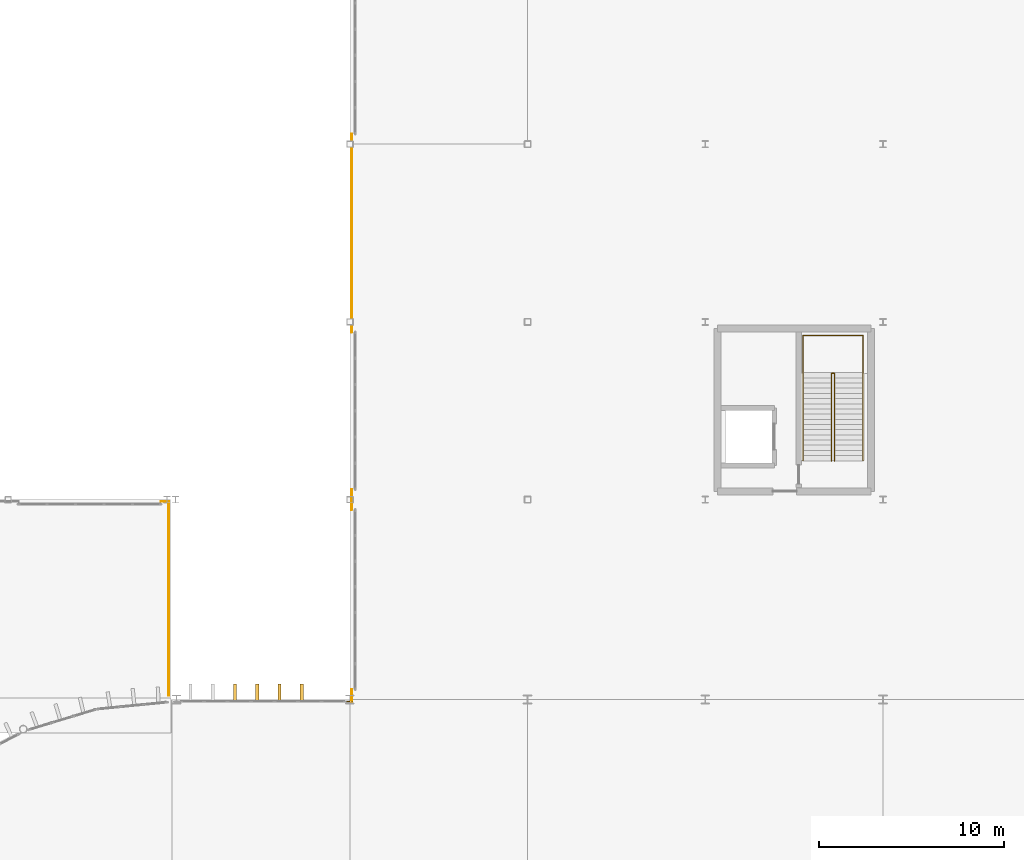
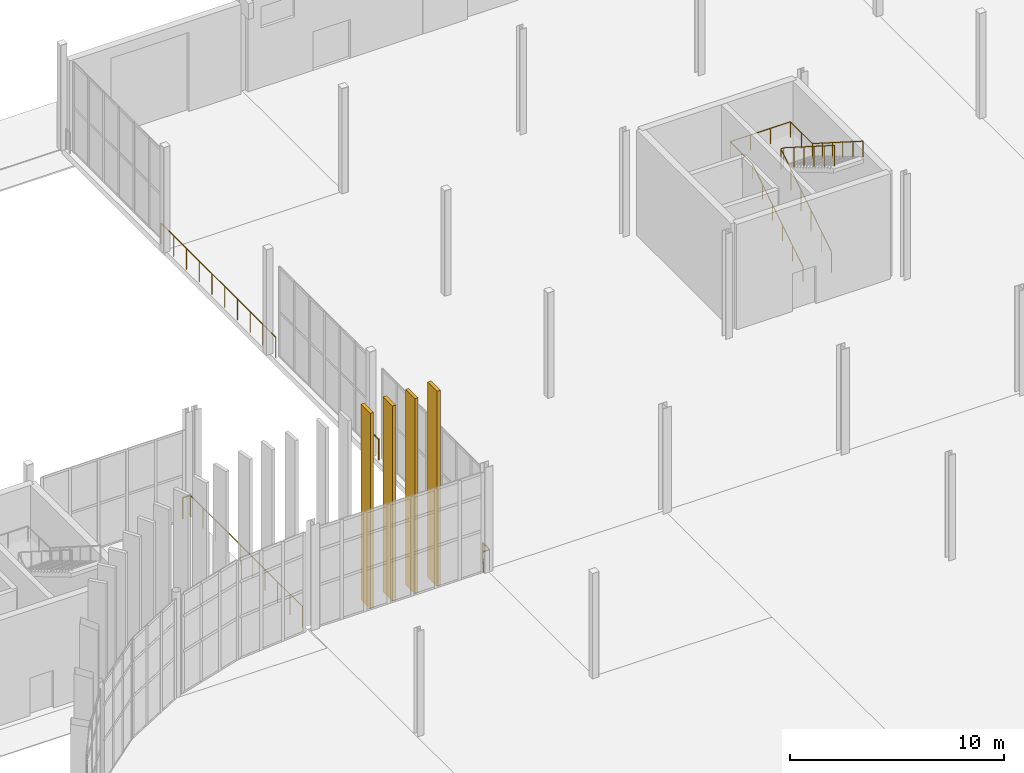
# One storey, part 126 of 139: 8 railings, 4 coverings.
"""IFC4 building model written with IfcOpenShell, lengths in metres."""

from ifc_helpers import new_model, si_unit, direction, frame, origin, origin_2d, place, context, subcontext, project, spatial, rectangle, circle, extrude, material, layer, layer_set, type_object, element, save


model = new_model("IFC4")

# Units and contexts
model_context = context("Model", 3, precision=1e-05, world=origin(), true_north=direction((0.0, 1.0)))
body_context = subcontext(model_context, "Body", "Model", "MODEL_VIEW")
ifc_project = project(units=[si_unit("LENGTHUNIT", "METRE"), si_unit("AREAUNIT", "SQUARE_METRE"), si_unit("VOLUMEUNIT", "CUBIC_METRE"), si_unit("PLANEANGLEUNIT", "RADIAN"), si_unit("MASSUNIT", "GRAM", prefix="KILO")], contexts=[model_context])

# Site, building, storey
site_placement = place(None, origin())
site = spatial("IfcSite", under=ifc_project, at=site_placement, CompositionType="ELEMENT")
building_placement = place(site_placement, origin())
building = spatial("IfcBuilding", under=site, at=building_placement, Name="Yeouljin Market Hall", CompositionType="ELEMENT")
storey_placement = place(building_placement, origin())
storey = spatial("IfcBuildingStorey", under=building, at=storey_placement, Name="L00", CompositionType="ELEMENT", Elevation=0.0)

# Coverings
ifc_material_1 = material(Name="White Limestone and Bronze Solar Fin", Category="masonry")
ifc_layer = layer(ifc_material_1, 0.179931640625)
ifc_layer_set = layer_set([ifc_layer], Name="White Limestone and Bronze Solar Fin")
covering_type = type_object("IfcCoveringType", Name="Covering_Limestone_SolarFin", PredefinedType="CLADDING", material=ifc_layer_set)
for number, where, z_axis, x_axis, name in (
    (1, (38.800048828125, 78.39990234375, 0.0), (0.0, 0.0, 1.0), (1.0, 0.0, 0.0), "Hall north vertical lantern fin 007"),
    (2, (40.0, 78.39990234375, 0.0), (0.0, 0.0, 1.0), (1.0, 0.0, 0.0), "Hall north vertical lantern fin 008"),
    (3, (41.199951171875, 78.39990234375, 0.0), (0.0, 0.0, 1.0), (1.0, 0.0, 0.0), "Hall north vertical lantern fin 009"),
    (4, (42.39990234375, 78.39990234375, 0.0), (0.0, 0.0, 1.0), (1.0, 0.0, 0.0), "Hall north vertical lantern fin 010"),
):
    element("IfcCovering", number, at=place(storey_placement, frame(where, z_axis=z_axis, x_axis=x_axis)), inside=storey, type_object=covering_type, Name=name, PredefinedType="CLADDING", context=body_context, shape_type="SweptSolid", body=[
        extrude(rectangle(XDim=0.179931640625, YDim=0.8798828125, at=origin_2d()), origin(), (0.0, 0.0, 1.0), 11.1201171875),
    ])

# Railings
ifc_material_2 = material(Name="Wrought Iron and Bronze Gallery Balustrade")
railing_type_1 = type_object("IfcRailingType", Name="Railing_AtriumBalustrade_1200", PredefinedType="BALUSTRADE", material=ifc_material_2)
railing_1_placement = place(storey_placement, frame((44.75, 77.89990234375, 0.0)))
element("IfcRailing", 5, at=railing_1_placement, inside=storey, type_object=railing_type_1, Name="Gallery & deck edge balustrade L00-016", PredefinedType="BALUSTRADE", context=body_context, shape_type="SweptSolid", body=[
    extrude(circle(Radius=0.02392578125, at=origin_2d()), frame((0.0, 0.0, 1.17578125), z_axis=(1.0, 0.0, 0.0), x_axis=(0.0, 1.0, 0.0)), (0.0, 0.0, 1.0), 0.35009765625),
    extrude(circle(Radius=0.02099609375, at=origin_2d()), origin(), (0.0, 0.0, 1.0), 1.15185546875),
    extrude(circle(Radius=0.02099609375, at=origin_2d()), frame((0.35009765625, 0.0, 0.0)), (0.0, 0.0, 1.0), 1.15185546875),
])
railing_2_placement = place(storey_placement, frame((45.10009765625, 77.89990234375, 0.0)))
element("IfcRailing", 6, at=railing_2_placement, inside=storey, type_object=railing_type_1, Name="Gallery & deck edge balustrade L00-017", PredefinedType="BALUSTRADE", context=body_context, shape_type="SweptSolid", body=[
    extrude(circle(Radius=0.02392578125, at=origin_2d()), frame((0.0, 0.0, 1.17578125), z_axis=(0.0, 1.0, 0.0), x_axis=(-1.0, 0.0, 0.0)), (0.0, 0.0, 1.0), 0.650146484375),
    extrude(circle(Radius=0.02099609375, at=origin_2d()), origin(), (0.0, 0.0, 1.0), 1.15185546875),
    extrude(circle(Radius=0.02099609375, at=origin_2d()), frame((0.0, 0.650146484375, 0.0)), (0.0, 0.0, 1.0), 1.15185546875),
])
railing_3_placement = place(storey_placement, frame((45.10009765625, 88.25, 0.0)))
element("IfcRailing", 7, at=railing_3_placement, inside=storey, type_object=railing_type_1, Name="Gallery & deck edge balustrade L00-018", PredefinedType="BALUSTRADE", context=body_context, shape_type="SweptSolid", body=[
    extrude(circle(Radius=0.02392578125, at=origin_2d()), frame((0.0, 0.0, 1.17578125), z_axis=(0.0, 1.0, 0.0), x_axis=(-1.0, 0.0, 0.0)), (0.0, 0.0, 1.0), 1.10009765625),
    extrude(circle(Radius=0.02099609375, at=origin_2d()), origin(), (0.0, 0.0, 1.0), 1.15185546875),
    extrude(circle(Radius=0.02099609375, at=origin_2d()), frame((0.0, 1.10009765625, 0.0)), (0.0, 0.0, 1.0), 1.15185546875),
])
railing_4_placement = place(storey_placement, frame((45.10009765625, 97.85009765625, 0.0)))
element("IfcRailing", 8, at=railing_4_placement, inside=storey, type_object=railing_type_1, Name="Gallery & deck edge balustrade L00-019", PredefinedType="BALUSTRADE", context=body_context, shape_type="SweptSolid", body=[
    extrude(circle(Radius=0.02392578125, at=origin_2d()), frame((0.0, 0.0, 1.17578125), z_axis=(0.0, 1.0, 0.0), x_axis=(-1.0, 0.0, 0.0)), (0.0, 0.0, 1.0), 10.699951171875),
    extrude(circle(Radius=0.02099609375, at=origin_2d()), origin(), (0.0, 0.0, 1.0), 1.15185546875),
    extrude(circle(Radius=0.02099609375, at=origin_2d()), frame((0.0, 1.18896484375, 0.0)), (0.0, 0.0, 1.0), 1.15185546875),
    extrude(circle(Radius=0.02099609375, at=origin_2d()), frame((0.0, 2.377685546875, 0.0)), (0.0, 0.0, 1.0), 1.15185546875),
    extrude(circle(Radius=0.02099609375, at=origin_2d()), frame((0.0, 3.566650390625, 0.0)), (0.0, 0.0, 1.0), 1.15185546875),
    extrude(circle(Radius=0.02099609375, at=origin_2d()), frame((0.0, 4.755615234375, 0.0)), (0.0, 0.0, 1.0), 1.15185546875),
    extrude(circle(Radius=0.02099609375, at=origin_2d()), frame((0.0, 5.9443359375, 0.0)), (0.0, 0.0, 1.0), 1.15185546875),
    extrude(circle(Radius=0.02099609375, at=origin_2d()), frame((0.0, 7.13330078125, 0.0)), (0.0, 0.0, 1.0), 1.15185546875),
    extrude(circle(Radius=0.02099609375, at=origin_2d()), frame((0.0, 8.322265625, 0.0)), (0.0, 0.0, 1.0), 1.15185546875),
    extrude(circle(Radius=0.02099609375, at=origin_2d()), frame((0.0, 9.510986328125, 0.0)), (0.0, 0.0, 1.0), 1.15185546875),
    extrude(circle(Radius=0.02099609375, at=origin_2d()), frame((0.0, 10.699951171875, 0.0)), (0.0, 0.0, 1.0), 1.15185546875),
])
railing_5_placement = place(storey_placement, frame((34.800048828125, 88.699951171875, 0.0)))
element("IfcRailing", 9, at=railing_5_placement, inside=storey, type_object=railing_type_1, Name="Gallery & deck edge balustrade L00-053", PredefinedType="BALUSTRADE", context=body_context, shape_type="SweptSolid", body=[
    extrude(circle(Radius=0.02392578125, at=origin_2d()), frame((0.0, 0.0, 1.17578125), z_axis=(1.0, 0.0, 0.0), x_axis=(0.0, 1.0, 0.0)), (0.0, 0.0, 1.0), 0.419921875),
    extrude(circle(Radius=0.02099609375, at=origin_2d()), origin(), (0.0, 0.0, 1.0), 1.15185546875),
    extrude(circle(Radius=0.02099609375, at=origin_2d()), frame((0.419921875, 0.0, 0.0)), (0.0, 0.0, 1.0), 1.15185546875),
])
railing_6_placement = place(storey_placement, frame((35.219970703125, 88.699951171875, 0.0)))
element("IfcRailing", 10, at=railing_6_placement, inside=storey, type_object=railing_type_1, Name="Gallery & deck edge balustrade L00-054", PredefinedType="BALUSTRADE", context=body_context, shape_type="SweptSolid", body=[
    extrude(circle(Radius=0.02392578125, at=origin_2d()), frame((0.0, 0.0, 1.17578125), z_axis=(0.0, -1.0, 0.0), x_axis=(1.0, 0.0, 0.0)), (0.0, 0.0, 1.0), 10.469970703125),
    extrude(circle(Radius=0.02099609375, at=origin_2d()), origin(), (0.0, 0.0, 1.0), 1.15185546875),
    extrude(circle(Radius=0.02099609375, at=origin_2d()), frame((0.0, -1.163330078125, 0.0)), (0.0, 0.0, 1.0), 1.15185546875),
    extrude(circle(Radius=0.02099609375, at=origin_2d()), frame((0.0, -2.32666015625, 0.0)), (0.0, 0.0, 1.0), 1.15185546875),
    extrude(circle(Radius=0.02099609375, at=origin_2d()), frame((0.0, -3.489990234375, 0.0)), (0.0, 0.0, 1.0), 1.15185546875),
    extrude(circle(Radius=0.02099609375, at=origin_2d()), frame((0.0, -4.6533203125, 0.0)), (0.0, 0.0, 1.0), 1.15185546875),
    extrude(circle(Radius=0.02099609375, at=origin_2d()), frame((0.0, -5.816650390625, 0.0)), (0.0, 0.0, 1.0), 1.15185546875),
    extrude(circle(Radius=0.02099609375, at=origin_2d()), frame((0.0, -6.97998046875, 0.0)), (0.0, 0.0, 1.0), 1.15185546875),
    extrude(circle(Radius=0.02099609375, at=origin_2d()), frame((0.0, -8.143310546875, 0.0)), (0.0, 0.0, 1.0), 1.15185546875),
    extrude(circle(Radius=0.02099609375, at=origin_2d()), frame((0.0, -9.306640625, 0.0)), (0.0, 0.0, 1.0), 1.15185546875),
    extrude(circle(Radius=0.02099609375, at=origin_2d()), frame((0.0, -10.469970703125, 0.0)), (0.0, 0.0, 1.0), 1.15185546875),
])
ifc_material_3 = material(Name="Painted Steel Stair Guardrail", Category="steel")
railing_type_2 = type_object("IfcRailingType", Name="Railing_StairGuard_1200", PredefinedType="GUARDRAIL", material=ifc_material_3)
railing_7_placement = place(storey_placement, frame((71.02001953125, 90.89990234375, 0.0)))
element("IfcRailing", 11, at=railing_7_placement, inside=storey, type_object=railing_type_2, Name="Stair ST-C5-L00 inner well guardrail", PredefinedType="GUARDRAIL", context=body_context, shape_type="SweptSolid", body=[
    extrude(circle(Radius=0.02392578125, at=origin_2d()), frame((0.0, 0.0, 1.17578125), z_axis=(0.0, 0.843966914778, 0.536395233723), x_axis=(-1.0, 0.0, 0.0)), (0.0, 0.0, 1.0), 5.5927734375),
    extrude(circle(Radius=0.02392578125, at=origin_2d()), frame((0.0, 4.72021484375, 4.17578125), z_axis=(1.0, 0.0, 0.0), x_axis=(0.0, 1.0, 0.0)), (0.0, 0.0, 1.0), 0.159912109375),
    extrude(circle(Radius=0.02392578125, at=origin_2d()), frame((0.159912109375, 4.72021484375, 4.17578125), z_axis=(0.0, -0.843966914778, 0.536395233723), x_axis=(1.0, 0.0, 0.0)), (0.0, 0.0, 1.0), 5.5927734375),
    extrude(circle(Radius=0.02099609375, at=origin_2d()), origin(), (0.0, 0.0, 1.0), 1.15185546875),
    extrude(circle(Radius=0.02099609375, at=origin_2d()), frame((0.0, 0.944091796875, 0.60009765625)), (0.0, 0.0, 1.0), 1.15185546875),
    extrude(circle(Radius=0.02099609375, at=origin_2d()), frame((0.0, 1.88818359375, 1.199951171875)), (0.0, 0.0, 1.0), 1.15185546875),
    extrude(circle(Radius=0.02099609375, at=origin_2d()), frame((0.0, 2.83203125, 1.800048828125)), (0.0, 0.0, 1.0), 1.15185546875),
    extrude(circle(Radius=0.02099609375, at=origin_2d()), frame((0.0, 3.776123046875, 2.39990234375)), (0.0, 0.0, 1.0), 1.15185546875),
    extrude(circle(Radius=0.02099609375, at=origin_2d()), frame((0.0, 4.72021484375, 3.0)), (0.0, 0.0, 1.0), 1.15185546875),
    extrude(circle(Radius=0.02099609375, at=origin_2d()), frame((0.159912109375, 4.72021484375, 3.0)), (0.0, 0.0, 1.0), 1.15185546875),
    extrude(circle(Radius=0.02099609375, at=origin_2d()), frame((0.159912109375, 3.776123046875, 3.60009765625)), (0.0, 0.0, 1.0), 1.15185546875),
    extrude(circle(Radius=0.02099609375, at=origin_2d()), frame((0.159912109375, 2.83203125, 4.199951171875)), (0.0, 0.0, 1.0), 1.15185546875),
    extrude(circle(Radius=0.02099609375, at=origin_2d()), frame((0.159912109375, 1.88818359375, 4.800048828125)), (0.0, 0.0, 1.0), 1.15185546875),
    extrude(circle(Radius=0.02099609375, at=origin_2d()), frame((0.159912109375, 0.944091796875, 5.39990234375)), (0.0, 0.0, 1.0), 1.15185546875),
    extrude(circle(Radius=0.02099609375, at=origin_2d()), frame((0.159912109375, 0.0, 6.0)), (0.0, 0.0, 1.0), 1.15185546875),
])
ifc_material_4 = material(Name="Brushed Stainless Steel", Category="steel")
railing_type_3 = type_object("IfcRailingType", Name="Railing_StairHandrail_900", PredefinedType="HANDRAIL", material=ifc_material_4)
railing_8_placement = place(storey_placement, frame((69.47998046875, 90.89990234375, 0.0)))
element("IfcRailing", 12, at=railing_8_placement, inside=storey, type_object=railing_type_3, Name="Stair ST-C5-L00 wall handrail", PredefinedType="HANDRAIL", context=body_context, shape_type="SweptSolid", body=[
    extrude(circle(Radius=0.02392578125, at=origin_2d()), frame((0.0, 0.0, 0.8759765625), z_axis=(0.0, 0.843966914778, 0.536395233723), x_axis=(-1.0, 0.0, 0.0)), (0.0, 0.0, 1.0), 5.5927734375),
    extrude(circle(Radius=0.02392578125, at=origin_2d()), frame((0.0, 4.72021484375, 3.8759765625), z_axis=(0.0, 1.0, 0.0), x_axis=(-1.0, 0.0, 0.0)), (0.0, 0.0, 1.0), 2.0498046875),
    extrude(circle(Radius=0.02392578125, at=origin_2d()), frame((0.0, 6.77001953125, 3.8759765625), z_axis=(1.0, 0.0, 0.0), x_axis=(0.0, 1.0, 0.0)), (0.0, 0.0, 1.0), 3.239990234375),
    extrude(circle(Radius=0.02392578125, at=origin_2d()), frame((3.239990234375, 6.77001953125, 3.8759765625), z_axis=(0.0, -1.0, 0.0), x_axis=(1.0, 0.0, 0.0)), (0.0, 0.0, 1.0), 2.0498046875),
    extrude(circle(Radius=0.02392578125, at=origin_2d()), frame((3.239990234375, 4.72021484375, 3.8759765625), z_axis=(0.0, -0.843966914778, 0.536395233723), x_axis=(1.0, 0.0, 0.0)), (0.0, 0.0, 1.0), 5.5927734375),
    extrude(circle(Radius=0.02099609375, at=origin_2d()), origin(), (0.0, 0.0, 1.0), 0.851806640625),
    extrude(circle(Radius=0.02099609375, at=origin_2d()), frame((0.0, 0.944091796875, 0.60009765625)), (0.0, 0.0, 1.0), 0.851806640625),
    extrude(circle(Radius=0.02099609375, at=origin_2d()), frame((0.0, 1.88818359375, 1.199951171875)), (0.0, 0.0, 1.0), 0.851806640625),
    extrude(circle(Radius=0.02099609375, at=origin_2d()), frame((0.0, 2.83203125, 1.800048828125)), (0.0, 0.0, 1.0), 0.851806640625),
    extrude(circle(Radius=0.02099609375, at=origin_2d()), frame((0.0, 3.776123046875, 2.39990234375)), (0.0, 0.0, 1.0), 0.851806640625),
    extrude(circle(Radius=0.02099609375, at=origin_2d()), frame((0.0, 4.72021484375, 3.0)), (0.0, 0.0, 1.0), 0.851806640625),
    extrude(circle(Radius=0.02099609375, at=origin_2d()), frame((0.0, 5.7451171875, 3.0)), (0.0, 0.0, 1.0), 0.851806640625),
    extrude(circle(Radius=0.02099609375, at=origin_2d()), frame((0.0, 6.77001953125, 3.0)), (0.0, 0.0, 1.0), 0.851806640625),
    extrude(circle(Radius=0.02099609375, at=origin_2d()), frame((1.080078125, 6.77001953125, 3.0)), (0.0, 0.0, 1.0), 0.851806640625),
    extrude(circle(Radius=0.02099609375, at=origin_2d()), frame((2.159912109375, 6.77001953125, 3.0)), (0.0, 0.0, 1.0), 0.851806640625),
    extrude(circle(Radius=0.02099609375, at=origin_2d()), frame((3.239990234375, 6.77001953125, 3.0)), (0.0, 0.0, 1.0), 0.851806640625),
    extrude(circle(Radius=0.02099609375, at=origin_2d()), frame((3.239990234375, 5.7451171875, 3.0)), (0.0, 0.0, 1.0), 0.851806640625),
    extrude(circle(Radius=0.02099609375, at=origin_2d()), frame((3.239990234375, 4.72021484375, 3.0)), (0.0, 0.0, 1.0), 0.851806640625),
    extrude(circle(Radius=0.02099609375, at=origin_2d()), frame((3.239990234375, 3.776123046875, 3.60009765625)), (0.0, 0.0, 1.0), 0.851806640625),
    extrude(circle(Radius=0.02099609375, at=origin_2d()), frame((3.239990234375, 2.83203125, 4.199951171875)), (0.0, 0.0, 1.0), 0.851806640625),
    extrude(circle(Radius=0.02099609375, at=origin_2d()), frame((3.239990234375, 1.88818359375, 4.800048828125)), (0.0, 0.0, 1.0), 0.851806640625),
    extrude(circle(Radius=0.02099609375, at=origin_2d()), frame((3.239990234375, 0.944091796875, 5.39990234375)), (0.0, 0.0, 1.0), 0.851806640625),
    extrude(circle(Radius=0.02099609375, at=origin_2d()), frame((3.239990234375, 0.0, 6.0)), (0.0, 0.0, 1.0), 0.851806640625),
])

save(model, "model.ifc")
